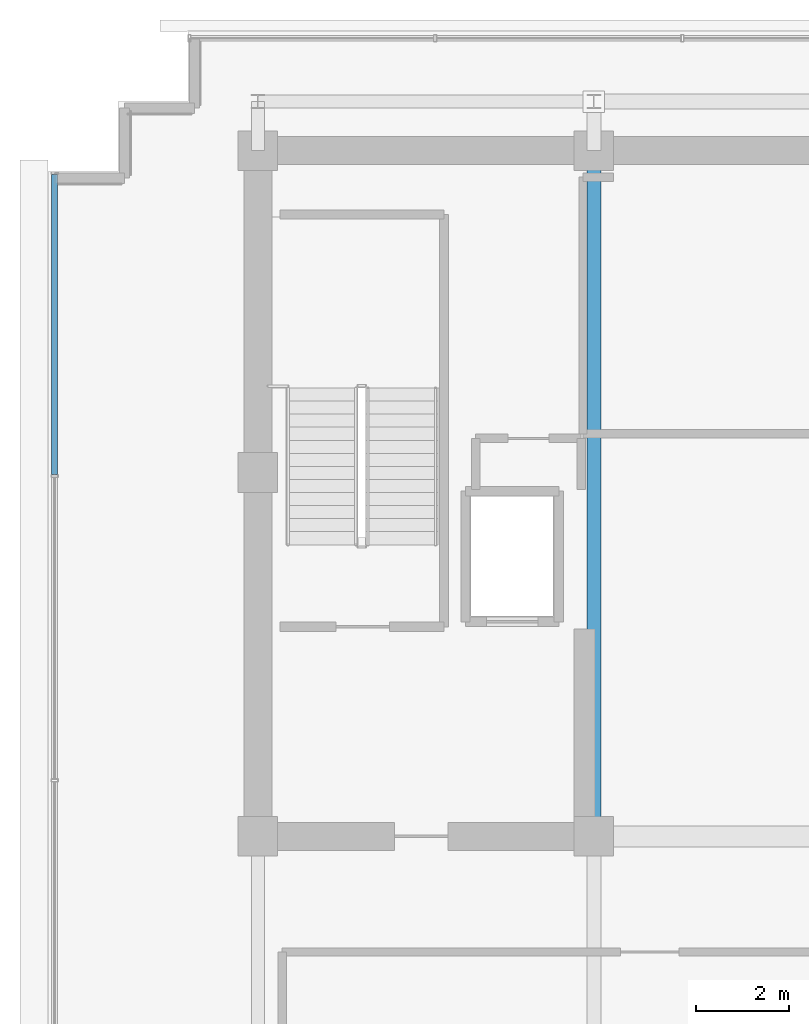
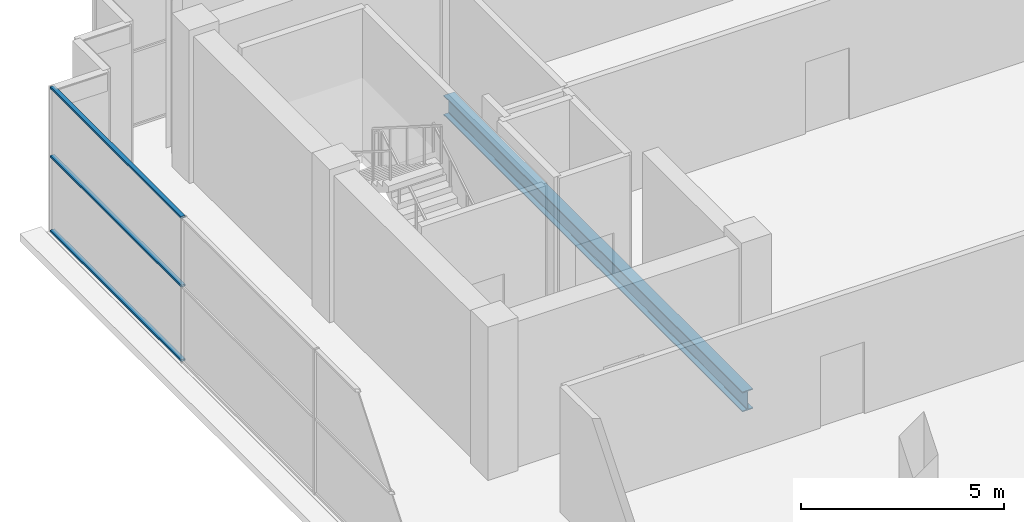
# One storey, part 12 of 26: 3 members, 1 beam, 1 element without a shape of its own.
"""IFC4 building model written with IfcOpenShell, lengths in metres."""

from ifc_helpers import new_model, si_unit, direction, frame, origin, origin_2d, place, context, subcontext, project, spatial, hollow_rectangle, i_section, extrude, source, transform, mapped, material, layer, layer_set, material_profile, profile_set, type_object, element, aggregate, save


model = new_model("IFC4")

# Units and contexts
model_context = context("Model", 3, precision=1e-05, world=origin(), true_north=direction((0.0, 1.0)))
body_context = subcontext(model_context, "Body", "Model", "MODEL_VIEW")
ifc_project = project(units=[si_unit("LENGTHUNIT", "METRE"), si_unit("AREAUNIT", "SQUARE_METRE"), si_unit("VOLUMEUNIT", "CUBIC_METRE"), si_unit("PLANEANGLEUNIT", "RADIAN"), si_unit("MASSUNIT", "GRAM", prefix="KILO")], contexts=[model_context])

# Site, building, storey
site_placement = place(None, origin())
site = spatial("IfcSite", under=ifc_project, at=site_placement, CompositionType="ELEMENT")
building_placement = place(site_placement, origin())
building = spatial("IfcBuilding", under=site, at=building_placement, Name="Zarnakvel Exchange Tower", CompositionType="ELEMENT")
storey_placement = place(building_placement, frame((0.0, 0.0, 285.39990234375)))
storey = spatial("IfcBuildingStorey", under=building, at=storey_placement, Name="Crown L80", CompositionType="ELEMENT", Elevation=285.39990234375)

# Beam
ifc_material_1 = material(Name="Steel S355", Category="steel")
ifc_material_profile_1 = material_profile(ifc_material_1, i_section(OverallWidth=0.300048828125, OverallDepth=0.60009765625, WebThickness=0.015380859375, FlangeThickness=0.030029296875, FilletRadius=0.027099609375, at=origin_2d()))
ifc_profile_set_1 = profile_set([ifc_material_profile_1], Name="Steel S355")
beam_type = type_object("IfcBeamType", Name="G-04", PredefinedType="BEAM", material=ifc_profile_set_1)
beam_placement = place(storey_placement, frame((-7.199951171875, -1.199951171875, -0.52001953125), z_axis=(0.0, 1.0, 0.0), x_axis=(-1.0, 0.0, 0.0)))
element("IfcBeam", 1, at=beam_placement, inside=storey, type_object=beam_type, Name="Crown L80 Tower N-S Frame Beam", PredefinedType="BEAM", context=body_context, shape_type="SweptSolid", body=[
    extrude(i_section(OverallWidth=0.300048828125, OverallDepth=0.60009765625, WebThickness=0.015380859375, FlangeThickness=0.030029296875, FilletRadius=0.027099609375, at=origin_2d()), origin(), (0.0, 0.0, 1.0), 14.699951171875),
])

# Curtain wall, members
ifc_material_2 = material(Name="Architectural Bronze Anodised Aluminium", Category="aluminium")
ifc_layer = layer(ifc_material_2, 0.14990234375)
ifc_layer_set = layer_set([ifc_layer], Name="Architectural Bronze Anodised Aluminium")
curtain_wall_type = type_object("IfcCurtainWallType", Name="CW-07", PredefinedType="NOTDEFINED", material=ifc_layer_set)
curtain_wall_placement = place(storey_placement, origin())
curtain_wall = element("IfcCurtainWall", 2, at=curtain_wall_placement, inside=storey, type_object=curtain_wall_type, Name="Crown L80 Curtain Wall CW-Crown L80-W (CW-07)", PredefinedType="NOTDEFINED")
ifc_material_profile_2 = material_profile(ifc_material_2, hollow_rectangle(XDim=0.1201171875, YDim=0.06005859375, WallThickness=0.00390625, at=origin_2d()))
ifc_profile_set_2 = profile_set([ifc_material_profile_2], Name="Architectural Bronze Anodised Aluminium")
member_type = type_object("IfcMemberType", Name="CWT-07", PredefinedType="USERDEFINED", material=ifc_profile_set_2)
shared_shape = source(origin(), body_context, "Body", "SweptSolid", [
    extrude(hollow_rectangle(XDim=0.1201171875, YDim=0.06005859375, WallThickness=0.00390625, at=origin_2d()), origin(), (0.0, 0.0, 1.0), 6.43505859375),
])
member_1_placement = place(storey_placement, frame((-18.760009765625, 6.554931640625, 0.030029296875), z_axis=(0.0, 1.0, 0.0), x_axis=(-1.0, 0.0, 0.0)))
member_1 = element("IfcMember", 3, at=member_1_placement, type_object=member_type, Name="CW-07 transom 4.1", ObjectType="TRANSOM", PredefinedType="USERDEFINED", context=body_context, shape_type="MappedRepresentation", body=[
    mapped(shared_shape, transform((0.0, 0.0, 0.0), x_axis=(1.0, 0.0, 0.0), y_axis=(0.0, 1.0, 0.0), z_axis=(0.0, 0.0, 1.0), scale=1.0)),
])
member_2_placement = place(storey_placement, frame((-18.760009765625, 6.554931640625, 2.267333984375), z_axis=(0.0, 1.0, 0.0), x_axis=(-1.0, 0.0, 0.0)))
member_2 = element("IfcMember", 4, at=member_2_placement, type_object=member_type, Name="CW-07 transom 4.2", ObjectType="TRANSOM", PredefinedType="USERDEFINED", context=body_context, shape_type="MappedRepresentation", body=[
    mapped(shared_shape, transform((0.0, 0.0, 0.0), x_axis=(1.0, 0.0, 0.0), y_axis=(0.0, 1.0, 0.0), z_axis=(0.0, 0.0, 1.0), scale=1.0)),
])
member_3_placement = place(storey_placement, frame((-18.760009765625, 6.554931640625, 4.330078125), z_axis=(0.0, 1.0, 0.0), x_axis=(-1.0, 0.0, 0.0)))
member_3 = element("IfcMember", 5, at=member_3_placement, type_object=member_type, Name="CW-07 transom 4.3", ObjectType="TRANSOM", PredefinedType="USERDEFINED", context=body_context, shape_type="MappedRepresentation", body=[
    mapped(shared_shape, transform((0.0, 0.0, 0.0), x_axis=(1.0, 0.0, 0.0), y_axis=(0.0, 1.0, 0.0), z_axis=(0.0, 0.0, 1.0), scale=1.0)),
])
aggregate(curtain_wall, [member_1, member_2, member_3])

save(model, "model.ifc")
